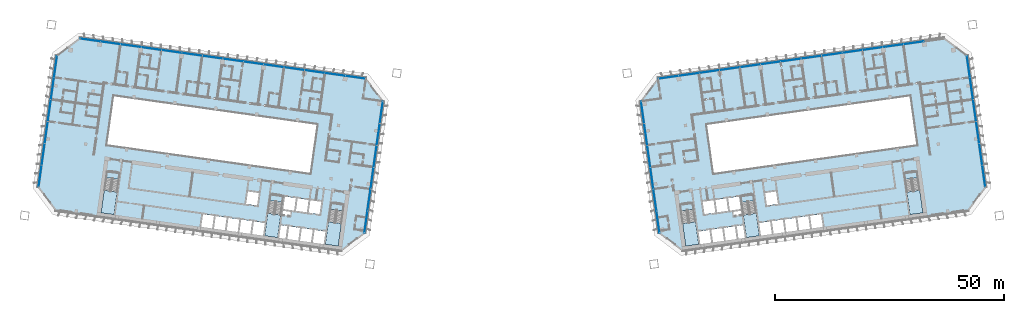
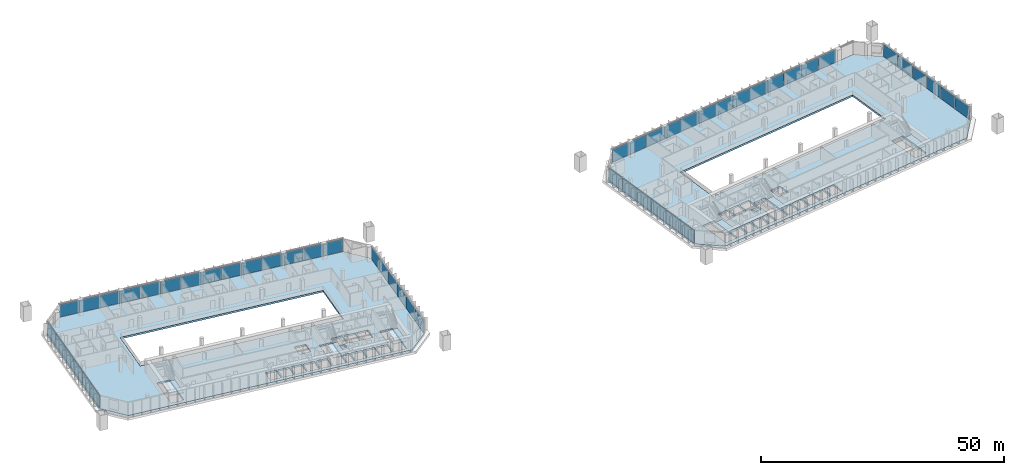
# One storey, part 12 of 25: 51 plates, 8 slabs, 12 elements without a shape of their own.
"""IFC4 building model written with IfcOpenShell, lengths in metres."""

from ifc_helpers import new_model, si_unit, direction, frame, origin, origin_2d, place, context, subcontext, project, spatial, polyline, rectangle, outline, extrude, material, layer, layer_set, type_object, element, aggregate, save


model = new_model("IFC4")

# Units and contexts
model_context = context("Model", 3, precision=1e-05, world=origin(), true_north=direction((0.0, 1.0)))
body_context = subcontext(model_context, "Body", "Model", "MODEL_VIEW")
ifc_project = project(units=[si_unit("LENGTHUNIT", "METRE"), si_unit("AREAUNIT", "SQUARE_METRE"), si_unit("VOLUMEUNIT", "CUBIC_METRE"), si_unit("PLANEANGLEUNIT", "RADIAN"), si_unit("MASSUNIT", "GRAM", prefix="KILO")], contexts=[model_context])

# Site, building, storey
site_placement = place(None, origin())
site = spatial("IfcSite", under=ifc_project, at=site_placement, CompositionType="ELEMENT")
building_placement = place(site_placement, origin())
building = spatial("IfcBuilding", under=site, at=building_placement, Name="Mirante Cascada Hotel Towers", CompositionType="ELEMENT")
storey_placement = place(building_placement, frame((0.0, 0.0, 58.5)))
storey = spatial("IfcBuildingStorey", under=building, at=storey_placement, Name="L11", CompositionType="ELEMENT", Elevation=58.5)

# Curtain wall, plates
ifc_material_1 = material(Name="Aluminium mullion and transom frame with clear laminated glass", Category="aluminium")
curtain_wall_type_1 = type_object("IfcCurtainWallType", Name="Ribbon curtain wall ECW1", PredefinedType="NOTDEFINED", material=ifc_material_1)
curtain_wall_1_placement = place(storey_placement, origin())
curtain_wall_1 = element("IfcCurtainWall", 1, at=curtain_wall_1_placement, inside=storey, type_object=curtain_wall_type_1, Name="Front ribbon wall T1 L11", PredefinedType="NOTDEFINED")
ifc_material_2 = material(Name="Clear laminated glass", Category="glass")
ifc_layer_1 = layer(ifc_material_2, 0.036)
ifc_layer_set_1 = layer_set([ifc_layer_1], Name="ECW1 glass panel 36")
plate_type_1 = type_object("IfcPlateType", Name="ECW1 glass panel 36", PredefinedType="CURTAIN_PANEL", material=ifc_layer_set_1)
plate_1_placement = place(storey_placement, frame((-91.9184, 25.7373, 0.1), z_axis=(0.0, 0.0, 1.0), x_axis=(0.9902681, -0.1391731, 0.0)))
plate_1 = element("IfcPlate", 2, at=plate_1_placement, type_object=plate_type_1, Name="ECW1 panel 1", PredefinedType="CURTAIN_PANEL", context=body_context, shape_type="SweptSolid", body=[
    extrude(rectangle(XDim=4.3936, YDim=0.036, at=origin_2d()), origin(), (0.0, 0.0, 1.0), 3.15),
])
plate_2_placement = place(storey_placement, frame((-87.487, 25.1145, 0.1), z_axis=(0.0, 0.0, 1.0), x_axis=(0.9902681, -0.1391731, 0.0)))
plate_2 = element("IfcPlate", 3, at=plate_2_placement, type_object=plate_type_1, Name="ECW1 panel 2", PredefinedType="CURTAIN_PANEL", context=body_context, shape_type="SweptSolid", body=[
    extrude(rectangle(XDim=4.4261, YDim=0.036, at=origin_2d()), origin(), (0.0, 0.0, 1.0), 3.15),
])
plate_3_placement = place(storey_placement, frame((-83.0396, 24.4895, 0.1), z_axis=(0.0, 0.0, 1.0), x_axis=(0.9902681, -0.1391731, 0.0)))
plate_3 = element("IfcPlate", 4, at=plate_3_placement, type_object=plate_type_1, Name="ECW1 panel 3", PredefinedType="CURTAIN_PANEL", context=body_context, shape_type="SweptSolid", body=[
    extrude(rectangle(XDim=4.4261, YDim=0.036, at=origin_2d()), origin(), (0.0, 0.0, 1.0), 3.15),
])
plate_4_placement = place(storey_placement, frame((-78.5922, 23.8644, 0.1), z_axis=(0.0, 0.0, 1.0), x_axis=(0.9902681, -0.1391731, 0.0)))
plate_4 = element("IfcPlate", 5, at=plate_4_placement, type_object=plate_type_1, Name="ECW1 panel 4", PredefinedType="CURTAIN_PANEL", context=body_context, shape_type="SweptSolid", body=[
    extrude(rectangle(XDim=4.4261, YDim=0.036, at=origin_2d()), origin(), (0.0, 0.0, 1.0), 3.15),
])
plate_5_placement = place(storey_placement, frame((-74.1448, 23.2394, 0.1), z_axis=(0.0, 0.0, 1.0), x_axis=(0.9902681, -0.1391731, 0.0)))
plate_5 = element("IfcPlate", 6, at=plate_5_placement, type_object=plate_type_1, Name="ECW1 panel 5", PredefinedType="CURTAIN_PANEL", context=body_context, shape_type="SweptSolid", body=[
    extrude(rectangle(XDim=4.4261, YDim=0.036, at=origin_2d()), origin(), (0.0, 0.0, 1.0), 3.15),
])
plate_6_placement = place(storey_placement, frame((-69.6974, 22.6144, 0.1), z_axis=(0.0, 0.0, 1.0), x_axis=(0.9902681, -0.1391731, 0.0)))
plate_6 = element("IfcPlate", 7, at=plate_6_placement, type_object=plate_type_1, Name="ECW1 panel 6", PredefinedType="CURTAIN_PANEL", context=body_context, shape_type="SweptSolid", body=[
    extrude(rectangle(XDim=4.4261, YDim=0.036, at=origin_2d()), origin(), (0.0, 0.0, 1.0), 3.15),
])
plate_7_placement = place(storey_placement, frame((-65.2499, 21.9893, 0.1), z_axis=(0.0, 0.0, 1.0), x_axis=(0.9902681, -0.1391731, 0.0)))
plate_7 = element("IfcPlate", 8, at=plate_7_placement, type_object=plate_type_1, Name="ECW1 panel 7", PredefinedType="CURTAIN_PANEL", context=body_context, shape_type="SweptSolid", body=[
    extrude(rectangle(XDim=4.4261, YDim=0.036, at=origin_2d()), origin(), (0.0, 0.0, 1.0), 3.15),
])
plate_8_placement = place(storey_placement, frame((-60.8025, 21.3643, 0.1), z_axis=(0.0, 0.0, 1.0), x_axis=(0.9902681, -0.1391731, 0.0)))
plate_8 = element("IfcPlate", 9, at=plate_8_placement, type_object=plate_type_1, Name="ECW1 panel 8", PredefinedType="CURTAIN_PANEL", context=body_context, shape_type="SweptSolid", body=[
    extrude(rectangle(XDim=4.4261, YDim=0.036, at=origin_2d()), origin(), (0.0, 0.0, 1.0), 3.15),
])
plate_9_placement = place(storey_placement, frame((-56.3551, 20.7392, 0.1), z_axis=(0.0, 0.0, 1.0), x_axis=(0.9902681, -0.1391731, 0.0)))
plate_9 = element("IfcPlate", 10, at=plate_9_placement, type_object=plate_type_1, Name="ECW1 panel 9", PredefinedType="CURTAIN_PANEL", context=body_context, shape_type="SweptSolid", body=[
    extrude(rectangle(XDim=4.4261, YDim=0.036, at=origin_2d()), origin(), (0.0, 0.0, 1.0), 3.15),
])
plate_10_placement = place(storey_placement, frame((-51.9077, 20.1142, 0.1), z_axis=(0.0, 0.0, 1.0), x_axis=(0.9902681, -0.1391731, 0.0)))
plate_10 = element("IfcPlate", 11, at=plate_10_placement, type_object=plate_type_1, Name="ECW1 panel 10", PredefinedType="CURTAIN_PANEL", context=body_context, shape_type="SweptSolid", body=[
    extrude(rectangle(XDim=4.4261, YDim=0.036, at=origin_2d()), origin(), (0.0, 0.0, 1.0), 3.15),
])
plate_11_placement = place(storey_placement, frame((-47.4603, 19.4891, 0.1), z_axis=(0.0, 0.0, 1.0), x_axis=(0.9902681, -0.1391731, 0.0)))
plate_11 = element("IfcPlate", 12, at=plate_11_placement, type_object=plate_type_1, Name="ECW1 panel 11", PredefinedType="CURTAIN_PANEL", context=body_context, shape_type="SweptSolid", body=[
    extrude(rectangle(XDim=4.4261, YDim=0.036, at=origin_2d()), origin(), (0.0, 0.0, 1.0), 3.15),
])
plate_12_placement = place(storey_placement, frame((-43.0129, 18.8641, 0.1), z_axis=(0.0, 0.0, 1.0), x_axis=(0.9902681, -0.1391731, 0.0)))
plate_12 = element("IfcPlate", 13, at=plate_12_placement, type_object=plate_type_1, Name="ECW1 panel 12", PredefinedType="CURTAIN_PANEL", context=body_context, shape_type="SweptSolid", body=[
    extrude(rectangle(XDim=4.4261, YDim=0.036, at=origin_2d()), origin(), (0.0, 0.0, 1.0), 3.15),
])
plate_13_placement = place(storey_placement, frame((-38.5654, 18.239, 0.1), z_axis=(0.0, 0.0, 1.0), x_axis=(0.9902681, -0.1391731, 0.0)))
plate_13 = element("IfcPlate", 14, at=plate_13_placement, type_object=plate_type_1, Name="ECW1 panel 13", PredefinedType="CURTAIN_PANEL", context=body_context, shape_type="SweptSolid", body=[
    extrude(rectangle(XDim=4.4261, YDim=0.036, at=origin_2d()), origin(), (0.0, 0.0, 1.0), 3.15),
])
plate_14_placement = place(storey_placement, frame((-34.1341, 17.6163, 0.1), z_axis=(0.0, 0.0, 1.0), x_axis=(0.9902681, -0.1391731, 0.0)))
plate_14 = element("IfcPlate", 15, at=plate_14_placement, type_object=plate_type_1, Name="ECW1 panel 14", PredefinedType="CURTAIN_PANEL", context=body_context, shape_type="SweptSolid", body=[
    extrude(rectangle(XDim=4.3936, YDim=0.036, at=origin_2d()), origin(), (0.0, 0.0, 1.0), 3.15),
])
aggregate(curtain_wall_1, [plate_1, plate_2, plate_3, plate_4, plate_5, plate_6, plate_7, plate_8, plate_9, plate_10, plate_11, plate_12, plate_13, plate_14])

curtain_wall_2_placement = place(storey_placement, origin())
curtain_wall_2 = element("IfcCurtainWall", 16, at=curtain_wall_2_placement, inside=storey, type_object=curtain_wall_type_1, Name="Front ribbon wall T2 L11", PredefinedType="NOTDEFINED")
plate_15_placement = place(storey_placement, frame((87.487, 25.1145, 0.1), z_axis=(0.0, 0.0, 1.0), x_axis=(-0.9902681, -0.1391731, 0.0)))
plate_15 = element("IfcPlate", 17, at=plate_15_placement, type_object=plate_type_1, Name="ECW1 panel 2", PredefinedType="CURTAIN_PANEL", context=body_context, shape_type="SweptSolid", body=[
    extrude(rectangle(XDim=4.4261, YDim=0.036, at=origin_2d()), origin(), (0.0, 0.0, 1.0), 3.15),
])
plate_16_placement = place(storey_placement, frame((83.0396, 24.4895, 0.1), z_axis=(0.0, 0.0, 1.0), x_axis=(-0.9902681, -0.1391731, 0.0)))
plate_16 = element("IfcPlate", 18, at=plate_16_placement, type_object=plate_type_1, Name="ECW1 panel 3", PredefinedType="CURTAIN_PANEL", context=body_context, shape_type="SweptSolid", body=[
    extrude(rectangle(XDim=4.4261, YDim=0.036, at=origin_2d()), origin(), (0.0, 0.0, 1.0), 3.15),
])
plate_17_placement = place(storey_placement, frame((78.5922, 23.8644, 0.1), z_axis=(0.0, 0.0, 1.0), x_axis=(-0.9902681, -0.1391731, 0.0)))
plate_17 = element("IfcPlate", 19, at=plate_17_placement, type_object=plate_type_1, Name="ECW1 panel 4", PredefinedType="CURTAIN_PANEL", context=body_context, shape_type="SweptSolid", body=[
    extrude(rectangle(XDim=4.4261, YDim=0.036, at=origin_2d()), origin(), (0.0, 0.0, 1.0), 3.15),
])
plate_18_placement = place(storey_placement, frame((74.1448, 23.2394, 0.1), z_axis=(0.0, 0.0, 1.0), x_axis=(-0.9902681, -0.1391731, 0.0)))
plate_18 = element("IfcPlate", 20, at=plate_18_placement, type_object=plate_type_1, Name="ECW1 panel 5", PredefinedType="CURTAIN_PANEL", context=body_context, shape_type="SweptSolid", body=[
    extrude(rectangle(XDim=4.4261, YDim=0.036, at=origin_2d()), origin(), (0.0, 0.0, 1.0), 3.15),
])
plate_19_placement = place(storey_placement, frame((69.6974, 22.6144, 0.1), z_axis=(0.0, 0.0, 1.0), x_axis=(-0.9902681, -0.1391731, 0.0)))
plate_19 = element("IfcPlate", 21, at=plate_19_placement, type_object=plate_type_1, Name="ECW1 panel 6", PredefinedType="CURTAIN_PANEL", context=body_context, shape_type="SweptSolid", body=[
    extrude(rectangle(XDim=4.4261, YDim=0.036, at=origin_2d()), origin(), (0.0, 0.0, 1.0), 3.15),
])
plate_20_placement = place(storey_placement, frame((65.2499, 21.9893, 0.1), z_axis=(0.0, 0.0, 1.0), x_axis=(-0.9902681, -0.1391731, 0.0)))
plate_20 = element("IfcPlate", 22, at=plate_20_placement, type_object=plate_type_1, Name="ECW1 panel 7", PredefinedType="CURTAIN_PANEL", context=body_context, shape_type="SweptSolid", body=[
    extrude(rectangle(XDim=4.4261, YDim=0.036, at=origin_2d()), origin(), (0.0, 0.0, 1.0), 3.15),
])
plate_21_placement = place(storey_placement, frame((60.8025, 21.3643, 0.1), z_axis=(0.0, 0.0, 1.0), x_axis=(-0.9902681, -0.1391731, 0.0)))
plate_21 = element("IfcPlate", 23, at=plate_21_placement, type_object=plate_type_1, Name="ECW1 panel 8", PredefinedType="CURTAIN_PANEL", context=body_context, shape_type="SweptSolid", body=[
    extrude(rectangle(XDim=4.4261, YDim=0.036, at=origin_2d()), origin(), (0.0, 0.0, 1.0), 3.15),
])
plate_22_placement = place(storey_placement, frame((56.3551, 20.7392, 0.1), z_axis=(0.0, 0.0, 1.0), x_axis=(-0.9902681, -0.1391731, 0.0)))
plate_22 = element("IfcPlate", 24, at=plate_22_placement, type_object=plate_type_1, Name="ECW1 panel 9", PredefinedType="CURTAIN_PANEL", context=body_context, shape_type="SweptSolid", body=[
    extrude(rectangle(XDim=4.4261, YDim=0.036, at=origin_2d()), origin(), (0.0, 0.0, 1.0), 3.15),
])
plate_23_placement = place(storey_placement, frame((51.9077, 20.1142, 0.1), z_axis=(0.0, 0.0, 1.0), x_axis=(-0.9902681, -0.1391731, 0.0)))
plate_23 = element("IfcPlate", 25, at=plate_23_placement, type_object=plate_type_1, Name="ECW1 panel 10", PredefinedType="CURTAIN_PANEL", context=body_context, shape_type="SweptSolid", body=[
    extrude(rectangle(XDim=4.4261, YDim=0.036, at=origin_2d()), origin(), (0.0, 0.0, 1.0), 3.15),
])
plate_24_placement = place(storey_placement, frame((47.4603, 19.4891, 0.1), z_axis=(0.0, 0.0, 1.0), x_axis=(-0.9902681, -0.1391731, 0.0)))
plate_24 = element("IfcPlate", 26, at=plate_24_placement, type_object=plate_type_1, Name="ECW1 panel 11", PredefinedType="CURTAIN_PANEL", context=body_context, shape_type="SweptSolid", body=[
    extrude(rectangle(XDim=4.4261, YDim=0.036, at=origin_2d()), origin(), (0.0, 0.0, 1.0), 3.15),
])
plate_25_placement = place(storey_placement, frame((43.0129, 18.8641, 0.1), z_axis=(0.0, 0.0, 1.0), x_axis=(-0.9902681, -0.1391731, 0.0)))
plate_25 = element("IfcPlate", 27, at=plate_25_placement, type_object=plate_type_1, Name="ECW1 panel 12", PredefinedType="CURTAIN_PANEL", context=body_context, shape_type="SweptSolid", body=[
    extrude(rectangle(XDim=4.4261, YDim=0.036, at=origin_2d()), origin(), (0.0, 0.0, 1.0), 3.15),
])
plate_26_placement = place(storey_placement, frame((38.5654, 18.239, 0.1), z_axis=(0.0, 0.0, 1.0), x_axis=(-0.9902681, -0.1391731, 0.0)))
plate_26 = element("IfcPlate", 28, at=plate_26_placement, type_object=plate_type_1, Name="ECW1 panel 13", PredefinedType="CURTAIN_PANEL", context=body_context, shape_type="SweptSolid", body=[
    extrude(rectangle(XDim=4.4261, YDim=0.036, at=origin_2d()), origin(), (0.0, 0.0, 1.0), 3.15),
])
plate_27_placement = place(storey_placement, frame((34.1341, 17.6163, 0.1), z_axis=(0.0, 0.0, 1.0), x_axis=(-0.9902681, -0.1391731, 0.0)))
plate_27 = element("IfcPlate", 29, at=plate_27_placement, type_object=plate_type_1, Name="ECW1 panel 14", PredefinedType="CURTAIN_PANEL", context=body_context, shape_type="SweptSolid", body=[
    extrude(rectangle(XDim=4.3936, YDim=0.036, at=origin_2d()), origin(), (0.0, 0.0, 1.0), 3.15),
])
aggregate(curtain_wall_2, [plate_15, plate_16, plate_17, plate_18, plate_19, plate_20, plate_21, plate_22, plate_23, plate_24, plate_25, plate_26, plate_27])

ifc_material_3 = material(Name="Aluminium mullion and transom frame with clear laminated glass", Category="aluminium")
curtain_wall_type_2 = type_object("IfcCurtainWallType", Name="End ribbon curtain wall ECW2", PredefinedType="NOTDEFINED", material=ifc_material_3)
curtain_wall_3_placement = place(storey_placement, origin())
curtain_wall_3 = element("IfcCurtainWall", 30, at=curtain_wall_3_placement, inside=storey, type_object=curtain_wall_type_2, Name="Inner end wall T1 L11", PredefinedType="NOTDEFINED")
ifc_material_4 = material(Name="Clear laminated glass", Category="glass")
ifc_layer_2 = layer(ifc_material_4, 0.034)
ifc_layer_set_2 = layer_set([ifc_layer_2], Name="ECW2 glass panel 34")
plate_type_2 = type_object("IfcPlateType", Name="ECW2 glass panel 34", PredefinedType="CURTAIN_PANEL", material=ifc_layer_set_2)
plate_28_placement = place(storey_placement, frame((-28.4763, 9.9193, 0.1), z_axis=(0.0, 0.0, 1.0), x_axis=(-0.1391731, -0.9902681, 0.0)))
plate_28 = element("IfcPlate", 31, at=plate_28_placement, type_object=plate_type_2, Name="ECW2 panel 1", PredefinedType="CURTAIN_PANEL", context=body_context, shape_type="SweptSolid", body=[
    extrude(rectangle(XDim=4.7151, YDim=0.034, at=origin_2d()), origin(), (0.0, 0.0, 1.0), 3.15),
])
plate_29_placement = place(storey_placement, frame((-29.1439, 5.1696, 0.1), z_axis=(0.0, 0.0, 1.0), x_axis=(-0.1391731, -0.9902681, 0.0)))
plate_29 = element("IfcPlate", 32, at=plate_29_placement, type_object=plate_type_2, Name="ECW2 panel 2", PredefinedType="CURTAIN_PANEL", context=body_context, shape_type="SweptSolid", body=[
    extrude(rectangle(XDim=4.7476, YDim=0.034, at=origin_2d()), origin(), (0.0, 0.0, 1.0), 3.15),
])
plate_30_placement = place(storey_placement, frame((-29.8136, 0.4038, 0.1), z_axis=(0.0, 0.0, 1.0), x_axis=(-0.1391731, -0.9902681, 0.0)))
plate_30 = element("IfcPlate", 33, at=plate_30_placement, type_object=plate_type_2, Name="ECW2 panel 3", PredefinedType="CURTAIN_PANEL", context=body_context, shape_type="SweptSolid", body=[
    extrude(rectangle(XDim=4.7476, YDim=0.034, at=origin_2d()), origin(), (0.0, 0.0, 1.0), 3.15),
])
plate_31_placement = place(storey_placement, frame((-30.4834, -4.362, 0.1), z_axis=(0.0, 0.0, 1.0), x_axis=(-0.1391731, -0.9902681, 0.0)))
plate_31 = element("IfcPlate", 34, at=plate_31_placement, type_object=plate_type_2, Name="ECW2 panel 4", PredefinedType="CURTAIN_PANEL", context=body_context, shape_type="SweptSolid", body=[
    extrude(rectangle(XDim=4.7476, YDim=0.034, at=origin_2d()), origin(), (0.0, 0.0, 1.0), 3.15),
])
plate_32_placement = place(storey_placement, frame((-31.1532, -9.1278, 0.1), z_axis=(0.0, 0.0, 1.0), x_axis=(-0.1391731, -0.9902681, 0.0)))
plate_32 = element("IfcPlate", 35, at=plate_32_placement, type_object=plate_type_2, Name="ECW2 panel 5", PredefinedType="CURTAIN_PANEL", context=body_context, shape_type="SweptSolid", body=[
    extrude(rectangle(XDim=4.7476, YDim=0.034, at=origin_2d()), origin(), (0.0, 0.0, 1.0), 3.15),
])
plate_33_placement = place(storey_placement, frame((-31.8207, -13.8775, 0.1), z_axis=(0.0, 0.0, 1.0), x_axis=(-0.1391731, -0.9902681, 0.0)))
plate_33 = element("IfcPlate", 36, at=plate_33_placement, type_object=plate_type_2, Name="ECW2 panel 6", PredefinedType="CURTAIN_PANEL", context=body_context, shape_type="SweptSolid", body=[
    extrude(rectangle(XDim=4.7151, YDim=0.034, at=origin_2d()), origin(), (0.0, 0.0, 1.0), 3.15),
])
aggregate(curtain_wall_3, [plate_28, plate_29, plate_30, plate_31, plate_32, plate_33])

curtain_wall_4_placement = place(storey_placement, origin())
curtain_wall_4 = element("IfcCurtainWall", 37, at=curtain_wall_4_placement, inside=storey, type_object=curtain_wall_type_2, Name="Outer end wall T1 L11", PredefinedType="NOTDEFINED")
plate_34_placement = place(storey_placement, frame((-102.823, -3.8988, 0.1), z_axis=(0.0, 0.0, 1.0), x_axis=(0.1391731, 0.9902681, 0.0)))
plate_34 = element("IfcPlate", 38, at=plate_34_placement, type_object=plate_type_2, Name="ECW2 panel 1", PredefinedType="CURTAIN_PANEL", context=body_context, shape_type="SweptSolid", body=[
    extrude(rectangle(XDim=4.7151, YDim=0.034, at=origin_2d()), origin(), (0.0, 0.0, 1.0), 3.15),
])
plate_35_placement = place(storey_placement, frame((-102.1554, 0.8509, 0.1), z_axis=(0.0, 0.0, 1.0), x_axis=(0.1391731, 0.9902681, 0.0)))
plate_35 = element("IfcPlate", 39, at=plate_35_placement, type_object=plate_type_2, Name="ECW2 panel 2", PredefinedType="CURTAIN_PANEL", context=body_context, shape_type="SweptSolid", body=[
    extrude(rectangle(XDim=4.7476, YDim=0.034, at=origin_2d()), origin(), (0.0, 0.0, 1.0), 3.15),
])
plate_36_placement = place(storey_placement, frame((-101.4857, 5.6167, 0.1), z_axis=(0.0, 0.0, 1.0), x_axis=(0.1391731, 0.9902681, 0.0)))
plate_36 = element("IfcPlate", 40, at=plate_36_placement, type_object=plate_type_2, Name="ECW2 panel 3", PredefinedType="CURTAIN_PANEL", context=body_context, shape_type="SweptSolid", body=[
    extrude(rectangle(XDim=4.7476, YDim=0.034, at=origin_2d()), origin(), (0.0, 0.0, 1.0), 3.15),
])
plate_37_placement = place(storey_placement, frame((-100.8159, 10.3825, 0.1), z_axis=(0.0, 0.0, 1.0), x_axis=(0.1391731, 0.9902681, 0.0)))
plate_37 = element("IfcPlate", 41, at=plate_37_placement, type_object=plate_type_2, Name="ECW2 panel 4", PredefinedType="CURTAIN_PANEL", context=body_context, shape_type="SweptSolid", body=[
    extrude(rectangle(XDim=4.7476, YDim=0.034, at=origin_2d()), origin(), (0.0, 0.0, 1.0), 3.15),
])
plate_38_placement = place(storey_placement, frame((-100.1461, 15.1483, 0.1), z_axis=(0.0, 0.0, 1.0), x_axis=(0.1391731, 0.9902681, 0.0)))
plate_38 = element("IfcPlate", 42, at=plate_38_placement, type_object=plate_type_2, Name="ECW2 panel 5", PredefinedType="CURTAIN_PANEL", context=body_context, shape_type="SweptSolid", body=[
    extrude(rectangle(XDim=4.7476, YDim=0.034, at=origin_2d()), origin(), (0.0, 0.0, 1.0), 3.15),
])
plate_39_placement = place(storey_placement, frame((-99.4786, 19.898, 0.1), z_axis=(0.0, 0.0, 1.0), x_axis=(0.1391731, 0.9902681, 0.0)))
plate_39 = element("IfcPlate", 43, at=plate_39_placement, type_object=plate_type_2, Name="ECW2 panel 6", PredefinedType="CURTAIN_PANEL", context=body_context, shape_type="SweptSolid", body=[
    extrude(rectangle(XDim=4.7151, YDim=0.034, at=origin_2d()), origin(), (0.0, 0.0, 1.0), 3.15),
])
aggregate(curtain_wall_4, [plate_34, plate_35, plate_36, plate_37, plate_38, plate_39])

curtain_wall_5_placement = place(storey_placement, origin())
curtain_wall_5 = element("IfcCurtainWall", 44, at=curtain_wall_5_placement, inside=storey, type_object=curtain_wall_type_2, Name="Inner end wall T2 L11", PredefinedType="NOTDEFINED")
plate_40_placement = place(storey_placement, frame((28.4763, 9.9193, 0.1), z_axis=(0.0, 0.0, 1.0), x_axis=(0.1391731, -0.9902681, 0.0)))
plate_40 = element("IfcPlate", 45, at=plate_40_placement, type_object=plate_type_2, Name="ECW2 panel 1", PredefinedType="CURTAIN_PANEL", context=body_context, shape_type="SweptSolid", body=[
    extrude(rectangle(XDim=4.7151, YDim=0.034, at=origin_2d()), origin(), (0.0, 0.0, 1.0), 3.15),
])
plate_41_placement = place(storey_placement, frame((29.1439, 5.1696, 0.1), z_axis=(0.0, 0.0, 1.0), x_axis=(0.1391731, -0.9902681, 0.0)))
plate_41 = element("IfcPlate", 46, at=plate_41_placement, type_object=plate_type_2, Name="ECW2 panel 2", PredefinedType="CURTAIN_PANEL", context=body_context, shape_type="SweptSolid", body=[
    extrude(rectangle(XDim=4.7476, YDim=0.034, at=origin_2d()), origin(), (0.0, 0.0, 1.0), 3.15),
])
plate_42_placement = place(storey_placement, frame((29.8136, 0.4038, 0.1), z_axis=(0.0, 0.0, 1.0), x_axis=(0.1391731, -0.9902681, 0.0)))
plate_42 = element("IfcPlate", 47, at=plate_42_placement, type_object=plate_type_2, Name="ECW2 panel 3", PredefinedType="CURTAIN_PANEL", context=body_context, shape_type="SweptSolid", body=[
    extrude(rectangle(XDim=4.7476, YDim=0.034, at=origin_2d()), origin(), (0.0, 0.0, 1.0), 3.15),
])
plate_43_placement = place(storey_placement, frame((30.4834, -4.362, 0.1), z_axis=(0.0, 0.0, 1.0), x_axis=(0.1391731, -0.9902681, 0.0)))
plate_43 = element("IfcPlate", 48, at=plate_43_placement, type_object=plate_type_2, Name="ECW2 panel 4", PredefinedType="CURTAIN_PANEL", context=body_context, shape_type="SweptSolid", body=[
    extrude(rectangle(XDim=4.7476, YDim=0.034, at=origin_2d()), origin(), (0.0, 0.0, 1.0), 3.15),
])
plate_44_placement = place(storey_placement, frame((31.1532, -9.1278, 0.1), z_axis=(0.0, 0.0, 1.0), x_axis=(0.1391731, -0.9902681, 0.0)))
plate_44 = element("IfcPlate", 49, at=plate_44_placement, type_object=plate_type_2, Name="ECW2 panel 5", PredefinedType="CURTAIN_PANEL", context=body_context, shape_type="SweptSolid", body=[
    extrude(rectangle(XDim=4.7476, YDim=0.034, at=origin_2d()), origin(), (0.0, 0.0, 1.0), 3.15),
])
plate_45_placement = place(storey_placement, frame((31.8207, -13.8775, 0.1), z_axis=(0.0, 0.0, 1.0), x_axis=(0.1391731, -0.9902681, 0.0)))
plate_45 = element("IfcPlate", 50, at=plate_45_placement, type_object=plate_type_2, Name="ECW2 panel 6", PredefinedType="CURTAIN_PANEL", context=body_context, shape_type="SweptSolid", body=[
    extrude(rectangle(XDim=4.7151, YDim=0.034, at=origin_2d()), origin(), (0.0, 0.0, 1.0), 3.15),
])
aggregate(curtain_wall_5, [plate_40, plate_41, plate_42, plate_43, plate_44, plate_45])

curtain_wall_6_placement = place(storey_placement, origin())
curtain_wall_6 = element("IfcCurtainWall", 51, at=curtain_wall_6_placement, inside=storey, type_object=curtain_wall_type_2, Name="Outer end wall T2 L11", PredefinedType="NOTDEFINED")
plate_46_placement = place(storey_placement, frame((102.823, -3.8988, 0.1), z_axis=(0.0, 0.0, 1.0), x_axis=(-0.1391731, 0.9902681, 0.0)))
plate_46 = element("IfcPlate", 52, at=plate_46_placement, type_object=plate_type_2, Name="ECW2 panel 1", PredefinedType="CURTAIN_PANEL", context=body_context, shape_type="SweptSolid", body=[
    extrude(rectangle(XDim=4.7151, YDim=0.034, at=origin_2d()), origin(), (0.0, 0.0, 1.0), 3.15),
])
plate_47_placement = place(storey_placement, frame((102.1554, 0.8509, 0.1), z_axis=(0.0, 0.0, 1.0), x_axis=(-0.1391731, 0.9902681, 0.0)))
plate_47 = element("IfcPlate", 53, at=plate_47_placement, type_object=plate_type_2, Name="ECW2 panel 2", PredefinedType="CURTAIN_PANEL", context=body_context, shape_type="SweptSolid", body=[
    extrude(rectangle(XDim=4.7476, YDim=0.034, at=origin_2d()), origin(), (0.0, 0.0, 1.0), 3.15),
])
plate_48_placement = place(storey_placement, frame((101.4857, 5.6167, 0.1), z_axis=(0.0, 0.0, 1.0), x_axis=(-0.1391731, 0.9902681, 0.0)))
plate_48 = element("IfcPlate", 54, at=plate_48_placement, type_object=plate_type_2, Name="ECW2 panel 3", PredefinedType="CURTAIN_PANEL", context=body_context, shape_type="SweptSolid", body=[
    extrude(rectangle(XDim=4.7476, YDim=0.034, at=origin_2d()), origin(), (0.0, 0.0, 1.0), 3.15),
])
plate_49_placement = place(storey_placement, frame((100.8159, 10.3825, 0.1), z_axis=(0.0, 0.0, 1.0), x_axis=(-0.1391731, 0.9902681, 0.0)))
plate_49 = element("IfcPlate", 55, at=plate_49_placement, type_object=plate_type_2, Name="ECW2 panel 4", PredefinedType="CURTAIN_PANEL", context=body_context, shape_type="SweptSolid", body=[
    extrude(rectangle(XDim=4.7476, YDim=0.034, at=origin_2d()), origin(), (0.0, 0.0, 1.0), 3.15),
])
plate_50_placement = place(storey_placement, frame((100.1461, 15.1483, 0.1), z_axis=(0.0, 0.0, 1.0), x_axis=(-0.1391731, 0.9902681, 0.0)))
plate_50 = element("IfcPlate", 56, at=plate_50_placement, type_object=plate_type_2, Name="ECW2 panel 5", PredefinedType="CURTAIN_PANEL", context=body_context, shape_type="SweptSolid", body=[
    extrude(rectangle(XDim=4.7476, YDim=0.034, at=origin_2d()), origin(), (0.0, 0.0, 1.0), 3.15),
])
plate_51_placement = place(storey_placement, frame((99.4786, 19.898, 0.1), z_axis=(0.0, 0.0, 1.0), x_axis=(-0.1391731, 0.9902681, 0.0)))
plate_51 = element("IfcPlate", 57, at=plate_51_placement, type_object=plate_type_2, Name="ECW2 panel 6", PredefinedType="CURTAIN_PANEL", context=body_context, shape_type="SweptSolid", body=[
    extrude(rectangle(XDim=4.7151, YDim=0.034, at=origin_2d()), origin(), (0.0, 0.0, 1.0), 3.15),
])
aggregate(curtain_wall_6, [plate_46, plate_47, plate_48, plate_49, plate_50, plate_51])

# Stair, slab
ifc_material_5 = material(Name="Concrete C35/45", Category="concrete")
stair_type = type_object("IfcStairType", Name="Exit stair half-turn 1350 concrete C35/45", PredefinedType="HALF_TURN_STAIR", material=ifc_material_5)
stair_1_placement = place(storey_placement, origin())
stair_1 = element("IfcStair", 58, at=stair_1_placement, inside=storey, type_object=stair_type, Name="L11 Exit stair A", PredefinedType="HALF_TURN_STAIR")
ifc_material_6 = material(Name="Concrete C35/45", Category="concrete")
ifc_layer_3 = layer(ifc_material_6, 0.2)
ifc_layer_set_3 = layer_set([ifc_layer_3], Name="Exit stair landing 200 concrete C35/45")
slab_type_1 = type_object("IfcSlabType", Name="Exit stair landing 200 concrete C35/45", PredefinedType="LANDING", material=ifc_layer_set_3)
slab_1_placement = place(storey_placement, frame((0.0, 0.0, 1.7)))
slab_1 = element("IfcSlab", 59, at=slab_1_placement, type_object=slab_type_1, Name="ST1-A landing 1", PredefinedType="LANDING", context=body_context, shape_type="SweptSolid", body=[
    extrude(outline(polyline([(-39.9987, -13.8659), (-40.6887, -18.7757), (-37.8665, -19.1723), (-37.1765, -14.2626), (-39.9987, -13.8659)])), origin(), (0.0, 0.0, 1.0), 0.2),
])
aggregate(stair_1, [slab_1])

stair_2_placement = place(storey_placement, origin())
stair_2 = element("IfcStair", 60, at=stair_2_placement, inside=storey, type_object=stair_type, Name="L11 Exit stair B", PredefinedType="HALF_TURN_STAIR")
slab_2_placement = place(storey_placement, frame((0.0, 0.0, 1.7)))
slab_2 = element("IfcSlab", 61, at=slab_2_placement, type_object=slab_type_1, Name="ST1-B landing 1", PredefinedType="LANDING", context=body_context, shape_type="SweptSolid", body=[
    extrude(outline(polyline([(-53.2188, -12.008), (-53.9088, -16.9177), (-51.0866, -17.3144), (-50.3965, -12.4046), (-53.2188, -12.008)])), origin(), (0.0, 0.0, 1.0), 0.2),
])
aggregate(stair_2, [slab_2])

stair_3_placement = place(storey_placement, origin())
stair_3 = element("IfcStair", 62, at=stair_3_placement, inside=storey, type_object=stair_type, Name="L11 Exit stair C", PredefinedType="HALF_TURN_STAIR")
slab_3_placement = place(storey_placement, frame((0.0, 0.0, 1.7)))
slab_3 = element("IfcSlab", 63, at=slab_3_placement, type_object=slab_type_1, Name="ST1-C landing 1", PredefinedType="LANDING", context=body_context, shape_type="SweptSolid", body=[
    extrude(outline(polyline([(-88.8685, -6.9977), (-89.5585, -11.9075), (-86.7362, -12.3041), (-86.0462, -7.3944), (-88.8685, -6.9977)])), origin(), (0.0, 0.0, 1.0), 0.2),
])
aggregate(stair_3, [slab_3])

stair_4_placement = place(storey_placement, origin())
stair_4 = element("IfcStair", 64, at=stair_4_placement, inside=storey, type_object=stair_type, Name="L11 Exit stair A", PredefinedType="HALF_TURN_STAIR")
slab_4_placement = place(storey_placement, frame((0.0, 0.0, 1.7)))
slab_4 = element("IfcSlab", 65, at=slab_4_placement, type_object=slab_type_1, Name="ST2-A landing 1", PredefinedType="LANDING", context=body_context, shape_type="SweptSolid", body=[
    extrude(outline(polyline([(37.1765, -14.2626), (37.8665, -19.1723), (40.6887, -18.7757), (39.9987, -13.8659), (37.1765, -14.2626)])), origin(), (0.0, 0.0, 1.0), 0.2),
])
aggregate(stair_4, [slab_4])

stair_5_placement = place(storey_placement, origin())
stair_5 = element("IfcStair", 66, at=stair_5_placement, inside=storey, type_object=stair_type, Name="L11 Exit stair B", PredefinedType="HALF_TURN_STAIR")
slab_5_placement = place(storey_placement, frame((0.0, 0.0, 1.7)))
slab_5 = element("IfcSlab", 67, at=slab_5_placement, type_object=slab_type_1, Name="ST2-B landing 1", PredefinedType="LANDING", context=body_context, shape_type="SweptSolid", body=[
    extrude(outline(polyline([(50.3965, -12.4046), (51.0866, -17.3144), (53.9088, -16.9177), (53.2188, -12.008), (50.3965, -12.4046)])), origin(), (0.0, 0.0, 1.0), 0.2),
])
aggregate(stair_5, [slab_5])

stair_6_placement = place(storey_placement, origin())
stair_6 = element("IfcStair", 68, at=stair_6_placement, inside=storey, type_object=stair_type, Name="L11 Exit stair C", PredefinedType="HALF_TURN_STAIR")
slab_6_placement = place(storey_placement, frame((0.0, 0.0, 1.7)))
slab_6 = element("IfcSlab", 69, at=slab_6_placement, type_object=slab_type_1, Name="ST2-C landing 1", PredefinedType="LANDING", context=body_context, shape_type="SweptSolid", body=[
    extrude(outline(polyline([(86.0462, -7.3944), (86.7362, -12.3041), (89.5585, -11.9075), (88.8685, -6.9977), (86.0462, -7.3944)])), origin(), (0.0, 0.0, 1.0), 0.2),
])
aggregate(stair_6, [slab_6])

# Slabs
ifc_material_7 = material(Name="Concrete C40/50", Category="concrete")
ifc_layer_4 = layer(ifc_material_7, 0.45)
ifc_layer_set_4 = layer_set([ifc_layer_4], Name="Post-tensioned flat plate 450 Concrete C40/50")
slab_type_2 = type_object("IfcSlabType", Name="Post-tensioned flat plate 450 Concrete C40/50", PredefinedType="FLOOR", material=ifc_layer_set_4)
slab_7_placement = place(storey_placement, frame((0.0, 0.0, -0.45)))
element("IfcSlab", 70, at=slab_7_placement, inside=storey, type_object=slab_type_2, Name="Floor T1 L11", PredefinedType="FLOOR", context=body_context, shape_type="SweptSolid", body=[
    extrude(outline(polyline([(-32.018, -16.3589), (-27.982, 12.3589), (-31.8119, 17.4414), (-94.1988, 26.2093), (-99.2813, 22.3794), (-103.3173, -6.3384), (-99.4874, -11.4209), (-37.1005, -20.1888), (-32.018, -16.3589)]), holes=[polyline([(-43.0718, -15.6132), (-40.5961, -15.9612), (-40.9858, -18.7339), (-43.4615, -18.386), (-43.0718, -15.6132)]), polyline([(-45.8446, -15.2236), (-43.3689, -15.5715), (-43.7586, -18.3442), (-46.2342, -17.9963), (-45.8446, -15.2236)]), polyline([(-48.6173, -14.8339), (-46.1416, -15.1818), (-46.5313, -17.9546), (-49.007, -17.6066), (-48.6173, -14.8339)]), polyline([(-50.3998, -14.5834), (-48.9144, -14.7921), (-49.3041, -17.5649), (-50.7895, -17.3561), (-50.3998, -14.5834)]), polyline([(-36.7887, -11.5037), (-37.8665, -19.1723), (-40.6887, -18.7757), (-39.611, -11.107), (-36.7887, -11.5037)]), polyline([(-49.9544, -11.4145), (-48.1472, -11.6685), (-48.2829, -12.634), (-50.0901, -12.38), (-49.9544, -11.4145)]), polyline([(-43.9775, -9.124), (-41.5018, -9.472), (-41.8915, -12.2447), (-44.3672, -11.8968), (-43.9775, -9.124)]), polyline([(-47.1399, -11.5071), (-46.7503, -8.7344), (-44.2746, -9.0823), (-44.6643, -11.855), (-47.1399, -11.5071)]), polyline([(-49.9127, -11.1174), (-49.523, -8.3447), (-47.0473, -8.6926), (-47.437, -11.4654), (-49.9127, -11.1174)]), polyline([(-56.2919, -13.7553), (-53.8162, -14.1032), (-54.2059, -16.876), (-56.6816, -16.528), (-56.2919, -13.7553)]), polyline([(-59.0646, -13.3656), (-56.589, -13.7135), (-56.9787, -16.4863), (-59.4543, -16.1383), (-59.0646, -13.3656)]), polyline([(-61.8374, -12.9759), (-59.3617, -13.3238), (-59.7514, -16.0966), (-62.2271, -15.7487), (-61.8374, -12.9759)]), polyline([(-64.6101, -12.5862), (-62.1345, -12.9342), (-62.5242, -15.7069), (-64.9998, -15.359), (-64.6101, -12.5862)]), polyline([(-67.3829, -12.1965), (-64.9072, -12.5445), (-65.2969, -15.3172), (-67.7726, -14.9693), (-67.3829, -12.1965)]), polyline([(-50.0088, -9.6457), (-51.0866, -17.3144), (-53.9088, -16.9177), (-52.8311, -9.2491), (-50.0088, -9.6457)]), polyline([(-85.6585, -4.6355), (-86.7362, -12.3041), (-89.5585, -11.9075), (-88.4807, -4.2388), (-85.6585, -4.6355)]), polyline([(-57.9834, -9.9832), (-57.5937, -7.2104), (-55.118, -7.5583), (-55.5077, -10.3311), (-57.9834, -9.9832)]), polyline([(-88.4039, 2.7747), (-86.873, 13.6677), (-42.3109, 7.4049), (-43.8418, -3.4881), (-88.4039, 2.7747)])]), origin(), (0.0, 0.0, 1.0), 0.45),
])
slab_8_placement = place(storey_placement, frame((0.0, 0.0, -0.45)))
element("IfcSlab", 71, at=slab_8_placement, inside=storey, type_object=slab_type_2, Name="Floor T2 L11", PredefinedType="FLOOR", context=body_context, shape_type="SweptSolid", body=[
    extrude(outline(polyline([(32.018, -16.3589), (27.982, 12.3589), (31.8119, 17.4414), (94.1988, 26.2093), (99.2813, 22.3794), (103.3173, -6.3384), (99.4874, -11.4209), (37.1005, -20.1888), (32.018, -16.3589)]), holes=[polyline([(43.0718, -15.6132), (40.5961, -15.9612), (40.9858, -18.7339), (43.4615, -18.386), (43.0718, -15.6132)]), polyline([(45.8446, -15.2236), (43.3689, -15.5715), (43.7586, -18.3442), (46.2342, -17.9963), (45.8446, -15.2236)]), polyline([(48.6173, -14.8339), (46.1416, -15.1818), (46.5313, -17.9546), (49.007, -17.6066), (48.6173, -14.8339)]), polyline([(50.3998, -14.5834), (48.9144, -14.7921), (49.3041, -17.5649), (50.7895, -17.3561), (50.3998, -14.5834)]), polyline([(37.8665, -19.1723), (40.6887, -18.7757), (39.611, -11.107), (36.7887, -11.5037), (37.8665, -19.1723)]), polyline([(49.9544, -11.4145), (48.1472, -11.6685), (48.2829, -12.634), (50.0901, -12.38), (49.9544, -11.4145)]), polyline([(43.9775, -9.124), (41.5018, -9.472), (41.8915, -12.2447), (44.3672, -11.8968), (43.9775, -9.124)]), polyline([(47.1399, -11.5071), (46.7503, -8.7344), (44.2746, -9.0823), (44.6643, -11.855), (47.1399, -11.5071)]), polyline([(49.9127, -11.1174), (49.523, -8.3447), (47.0473, -8.6926), (47.437, -11.4654), (49.9127, -11.1174)]), polyline([(56.2919, -13.7553), (53.8162, -14.1032), (54.2059, -16.876), (56.6816, -16.528), (56.2919, -13.7553)]), polyline([(59.0646, -13.3656), (56.589, -13.7135), (56.9787, -16.4863), (59.4543, -16.1383), (59.0646, -13.3656)]), polyline([(61.8374, -12.9759), (59.3617, -13.3238), (59.7514, -16.0966), (62.2271, -15.7487), (61.8374, -12.9759)]), polyline([(64.6101, -12.5862), (62.1345, -12.9342), (62.5242, -15.7069), (64.9998, -15.359), (64.6101, -12.5862)]), polyline([(67.3829, -12.1965), (64.9072, -12.5445), (65.2969, -15.3172), (67.7726, -14.9693), (67.3829, -12.1965)]), polyline([(51.0866, -17.3144), (53.9088, -16.9177), (52.8311, -9.2491), (50.0088, -9.6457), (51.0866, -17.3144)]), polyline([(86.7362, -12.3041), (89.5585, -11.9075), (88.4807, -4.2388), (85.6585, -4.6355), (86.7362, -12.3041)]), polyline([(57.9834, -9.9832), (57.5937, -7.2104), (55.118, -7.5583), (55.5077, -10.3311), (57.9834, -9.9832)]), polyline([(88.4039, 2.7747), (86.873, 13.6677), (42.3109, 7.4049), (43.8418, -3.4881), (88.4039, 2.7747)])]), origin(), (0.0, 0.0, 1.0), 0.45),
])

save(model, "model.ifc")
